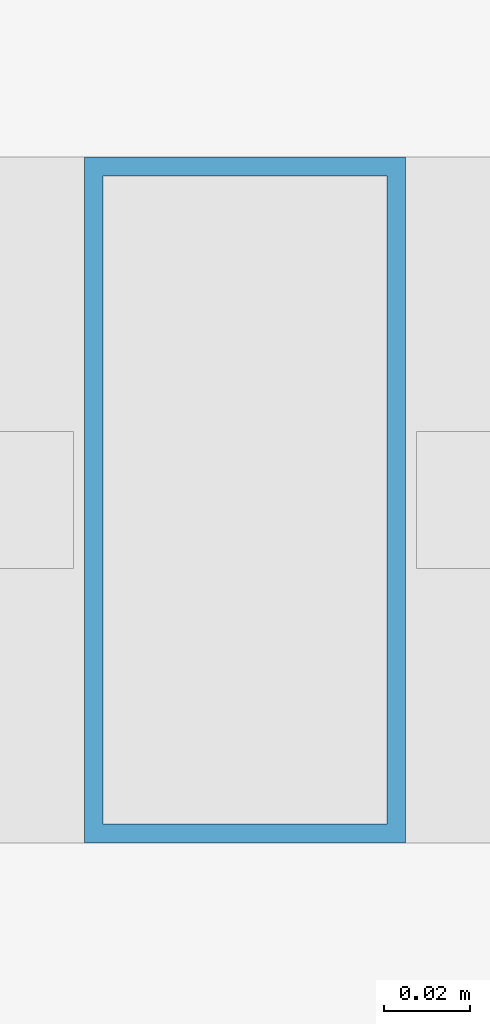
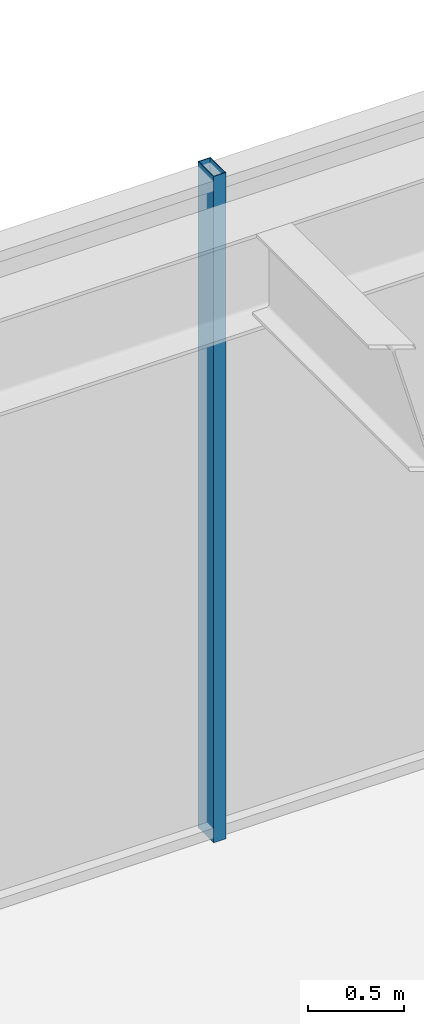
# One storey, part 31 of 47: 1 member, 1 element without a shape of its own.
"""IFC4 building model written with IfcOpenShell, lengths in metres."""

from ifc_helpers import new_model, si_unit, direction, frame, origin, origin_2d, place, context, subcontext, project, spatial, hollow_rectangle, extrude, material, material_profile, profile_set, type_object, element, aggregate, save


model = new_model("IFC4")

# Units and contexts
model_context = context("Model", 3, precision=1e-05, world=origin(), true_north=direction((0.0, 1.0)))
body_context = subcontext(model_context, "Body", "Model", "MODEL_VIEW")
ifc_project = project(units=[si_unit("LENGTHUNIT", "METRE"), si_unit("AREAUNIT", "SQUARE_METRE"), si_unit("VOLUMEUNIT", "CUBIC_METRE"), si_unit("PLANEANGLEUNIT", "RADIAN"), si_unit("MASSUNIT", "GRAM", prefix="KILO")], contexts=[model_context])

# Site, building, storey
site_placement = place(None, origin())
site = spatial("IfcSite", under=ifc_project, at=site_placement, CompositionType="ELEMENT")
building_placement = place(site_placement, origin())
building = spatial("IfcBuilding", under=site, at=building_placement, Name="Kolvaren Belvedere", CompositionType="ELEMENT")
storey_placement = place(building_placement, frame((0.0, 0.0, 5.5)))
storey = spatial("IfcBuildingStorey", under=building, at=storey_placement, Name="L02", CompositionType="ELEMENT", Elevation=5.5)

# Curtain wall, member
ifc_material_1 = material(Name="Anodised pale-metal aluminium AA 6063-T6", Category="aluminium")
curtain_wall_type = type_object("IfcCurtainWallType", Name="CW-POD-A", PredefinedType="NOTDEFINED", material=ifc_material_1)
curtain_wall_placement = place(storey_placement, origin())
curtain_wall = element("IfcCurtainWall", 1, at=curtain_wall_placement, inside=storey, type_object=curtain_wall_type, Name="L02 Unitised Curtain Wall FCW-L02-SEG7", PredefinedType="NOTDEFINED")
ifc_material_2 = material(Name="Anodised pale-metal aluminium AA 6063-T6", Category="aluminium")
ifc_material_profile = material_profile(ifc_material_2, hollow_rectangle(XDim=0.074951171875, YDim=0.159912109375, WallThickness=0.00439453125, at=origin_2d()), Name="ALU-MUL-160X75")
ifc_profile_set = profile_set([ifc_material_profile], Name="Anodised pale-metal aluminium AA 6063-T6")
member_type = type_object("IfcMemberType", Name="CW-MUL-160", PredefinedType="MULLION", material=ifc_profile_set)
member_placement = place(storey_placement, frame((0.0, 28.280029296875, 0.0), z_axis=(0.0, 0.0, 1.0), x_axis=(1.0, 0.0, 0.0)))
member = element("IfcMember", 2, at=member_placement, type_object=member_type, Name="FCW-L02-SEG7 Unitised Mullion 3", PredefinedType="MULLION", context=body_context, shape_type="SweptSolid", body=[
    extrude(hollow_rectangle(XDim=0.074951171875, YDim=0.159912109375, WallThickness=0.00439453125, at=origin_2d()), origin(), (0.0, 0.0, 1.0), 4.219970703125),
])
aggregate(curtain_wall, [member])

save(model, "model.ifc")
